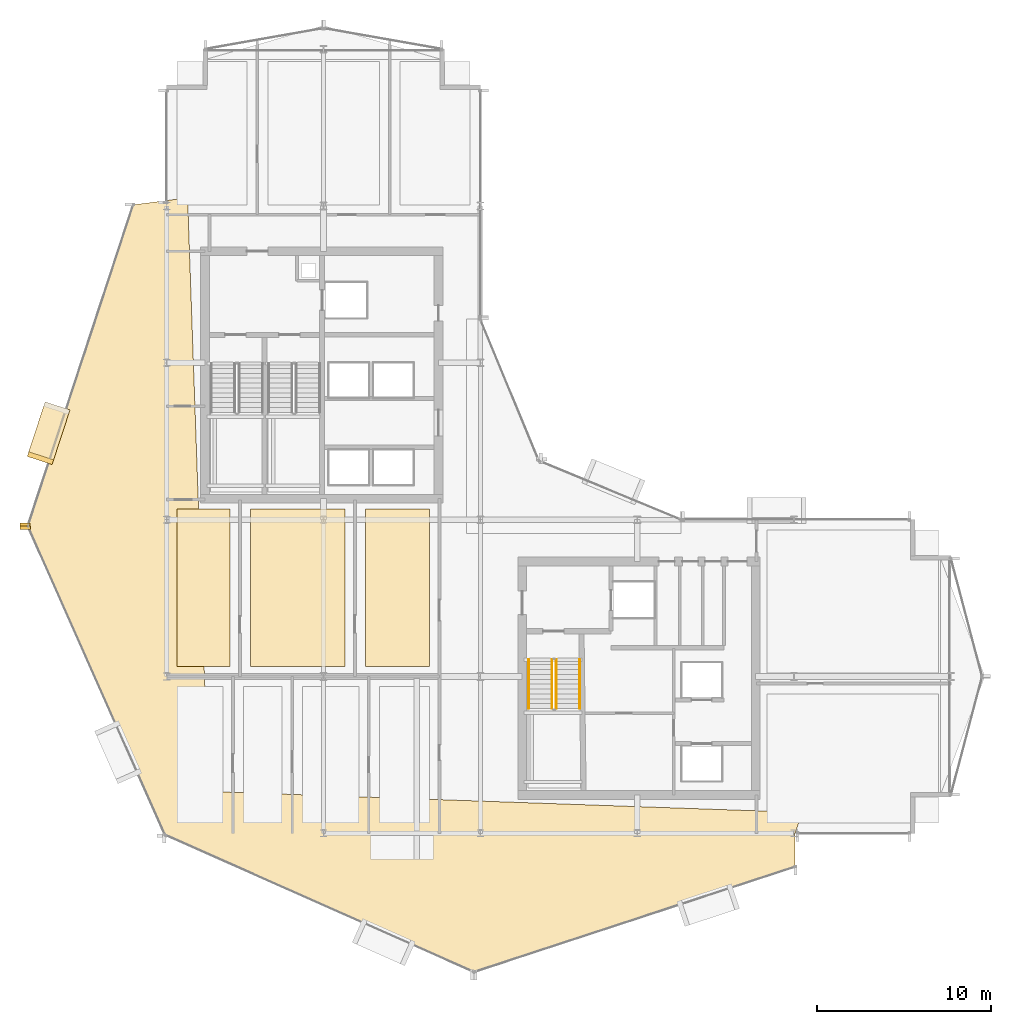
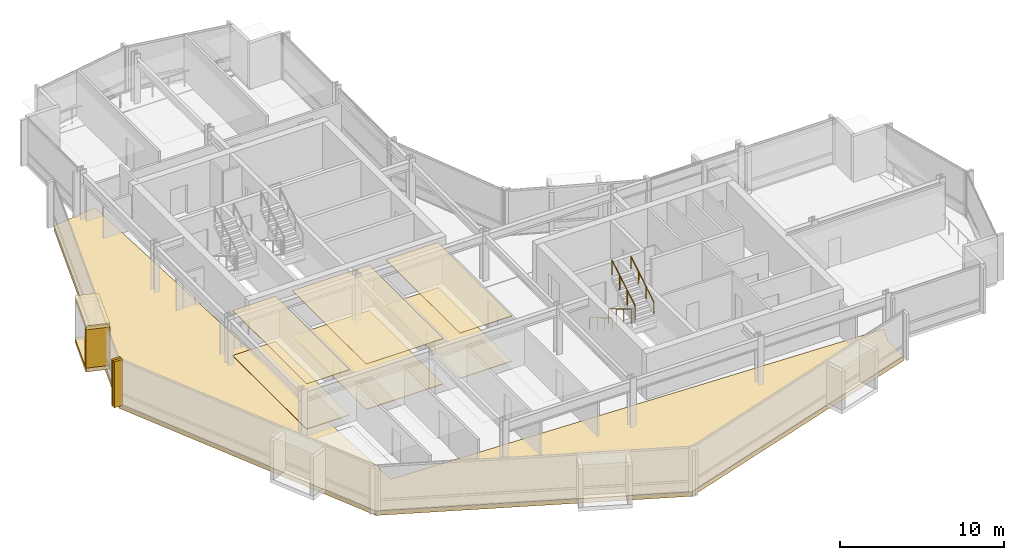
# One storey, part 25 of 28: 12 coverings, 4 railings.
"""IFC4 building model written with IfcOpenShell, lengths in metres."""

from ifc_helpers import new_model, si_unit, direction, frame, origin, origin_2d, place, context, subcontext, project, spatial, polyline, rectangle, circle, outline, extrude, material, layer, layer_set, type_object, element, save


model = new_model("IFC4")

# Units and contexts
model_context = context("Model", 3, precision=1e-05, world=origin(), true_north=direction((0.0, 1.0)))
body_context = subcontext(model_context, "Body", "Model", "MODEL_VIEW")
ifc_project = project(units=[si_unit("LENGTHUNIT", "METRE"), si_unit("AREAUNIT", "SQUARE_METRE"), si_unit("VOLUMEUNIT", "CUBIC_METRE"), si_unit("PLANEANGLEUNIT", "RADIAN"), si_unit("MASSUNIT", "GRAM", prefix="KILO")], contexts=[model_context])

# Site, building, storey
site_placement = place(None, origin())
site = spatial("IfcSite", under=ifc_project, at=site_placement, CompositionType="ELEMENT")
building_placement = place(site_placement, origin())
building = spatial("IfcBuilding", under=site, at=building_placement, Name="Solvaryn Broadcast Tower", CompositionType="ELEMENT")
storey_placement = place(building_placement, frame((0.0, 0.0, 150.699951171875)))
storey = spatial("IfcBuildingStorey", under=building, at=storey_placement, Name="L37", CompositionType="ELEMENT", Elevation=150.699951171875)

# Coverings
ifc_material_1 = material(Name="Micro-Perforated Acoustic Gypsum Ceiling", Category="concrete")
ifc_layer_1 = layer(ifc_material_1, 0.0400390625)
ifc_layer_set_1 = layer_set([ifc_layer_1], Name="CV-CEIL-ACOUSTIC")
covering_type_1 = type_object("IfcCoveringType", Name="CV-CEIL-ACOUSTIC", PredefinedType="CEILING", material=ifc_layer_set_1)
covering_1_placement = place(storey_placement, frame((0.0, 0.0, 3.380126953125)))
element("IfcCovering", 1, at=covering_1_placement, inside=storey, type_object=covering_type_1, Name="L37 Room Acoustic Ceiling 1", PredefinedType="CEILING", context=body_context, shape_type="SweptSolid", body=[
    extrude(outline(polyline([(9.60009765625, 18.570068359375), (12.6298828125, 18.570068359375), (12.6298828125, 27.60009765625), (9.60009765625, 27.60009765625), (9.60009765625, 18.570068359375)])), origin(), (0.0, 0.0, 1.0), 0.0400390625),
])
covering_2_placement = place(storey_placement, frame((0.0, 0.0, 3.380126953125)))
element("IfcCovering", 2, at=covering_2_placement, inside=storey, type_object=covering_type_1, Name="L37 Room Acoustic Ceiling 2", PredefinedType="CEILING", context=body_context, shape_type="SweptSolid", body=[
    extrude(outline(polyline([(13.800048828125, 18.570068359375), (19.22998046875, 18.570068359375), (19.22998046875, 27.60009765625), (13.800048828125, 27.60009765625), (13.800048828125, 18.570068359375)])), origin(), (0.0, 0.0, 1.0), 0.0400390625),
])
covering_3_placement = place(storey_placement, frame((0.0, 0.0, 3.380126953125)))
element("IfcCovering", 3, at=covering_3_placement, inside=storey, type_object=covering_type_1, Name="L37 Room Acoustic Ceiling 3", PredefinedType="CEILING", context=body_context, shape_type="SweptSolid", body=[
    extrude(outline(polyline([(20.39990234375, 18.570068359375), (24.080078125, 18.570068359375), (24.080078125, 27.60009765625), (20.39990234375, 27.60009765625), (20.39990234375, 18.570068359375)])), origin(), (0.0, 0.0, 1.0), 0.0400390625),
])
ifc_material_2 = material(Name="Newsroom Raised Data Access Flooring", Category="steel")
ifc_layer_2 = layer(ifc_material_2, 0.050048828125)
ifc_layer_set_2 = layer_set([ifc_layer_2], Name="CV-FLOOR-RAISED")
covering_type_2 = type_object("IfcCoveringType", Name="CV-FLOOR-RAISED", PredefinedType="FLOORING", material=ifc_layer_set_2)
covering_4_placement = place(storey_placement, origin())
element("IfcCovering", 4, at=covering_4_placement, inside=storey, type_object=covering_type_2, Name="L37 Room Acoustic Floor Finish 1", PredefinedType="FLOORING", context=body_context, shape_type="SweptSolid", body=[
    extrude(outline(polyline([(9.60009765625, 18.570068359375), (12.6298828125, 18.570068359375), (12.6298828125, 27.60009765625), (9.60009765625, 27.60009765625), (9.60009765625, 18.570068359375)])), origin(), (0.0, 0.0, 1.0), 0.050048828125),
])
covering_5_placement = place(storey_placement, origin())
element("IfcCovering", 5, at=covering_5_placement, inside=storey, type_object=covering_type_2, Name="L37 Room Acoustic Floor Finish 2", PredefinedType="FLOORING", context=body_context, shape_type="SweptSolid", body=[
    extrude(outline(polyline([(13.800048828125, 18.570068359375), (19.22998046875, 18.570068359375), (19.22998046875, 27.60009765625), (13.800048828125, 27.60009765625), (13.800048828125, 18.570068359375)])), origin(), (0.0, 0.0, 1.0), 0.050048828125),
])
covering_6_placement = place(storey_placement, origin())
element("IfcCovering", 6, at=covering_6_placement, inside=storey, type_object=covering_type_2, Name="L37 Room Acoustic Floor Finish 3", PredefinedType="FLOORING", context=body_context, shape_type="SweptSolid", body=[
    extrude(outline(polyline([(20.39990234375, 18.570068359375), (24.080078125, 18.570068359375), (24.080078125, 27.60009765625), (20.39990234375, 27.60009765625), (20.39990234375, 18.570068359375)])), origin(), (0.0, 0.0, 1.0), 0.050048828125),
])
ifc_material_3 = material(Name="Glazed Architectural Terracotta Rainscreen Cladding", Category="masonry")
ifc_layer_3 = layer(ifc_material_3, 0.280029296875)
ifc_layer_set_3 = layer_set([ifc_layer_3], Name="CV-TC-CLAD")
covering_type_3 = type_object("IfcCoveringType", Name="CV-TC-CLAD", PredefinedType="CLADDING", material=ifc_layer_set_3)
for number, where, z_axis, x_axis, name in (
    (7, (2.222900390625, 31.9619140625, 3.1298828125), (0.0, 0.0, 1.0), (-0.311671636848, -0.950189870912, 0.0), "L37 Projecting Stone Window Box Hood 1"),
    (8, (2.222900390625, 31.9619140625, -0.009765625), (0.0, 0.0, 1.0), (-0.311671636848, -0.950189870912, 0.0), "L37 Projecting Stone Window Box Sill 1"),
):
    element("IfcCovering", number, at=place(storey_placement, frame(where, z_axis=z_axis, x_axis=x_axis)), inside=storey, type_object=covering_type_3, Name=name, PredefinedType="CLADDING", context=body_context, shape_type="SweptSolid", body=[
        extrude(rectangle(XDim=3.300048828125, YDim=1.5, at=origin_2d()), origin(), (0.0, 0.0, 1.0), 0.300048828125),
    ])
covering_7_placement = place(storey_placement, frame((1.75244140625, 30.527099609375, 0.27978515625), z_axis=(0.0, 0.0, 1.0), x_axis=(-0.311671636848, -0.950189870912, 0.0)))
element("IfcCovering", 9, at=covering_7_placement, inside=storey, type_object=covering_type_3, Name="L37 Projecting Stone Window Box Cheek 1-2", PredefinedType="CLADDING", context=body_context, shape_type="SweptSolid", body=[
    extrude(rectangle(XDim=0.280029296875, YDim=1.5, at=origin_2d()), origin(), (0.0, 0.0, 1.0), 2.860107421875),
])
ifc_material_4 = material(Name="Extruded Architectural Terracotta Fin", Category="masonry")
ifc_layer_4 = layer(ifc_material_4, 0.179931640625)
ifc_layer_set_4 = layer_set([ifc_layer_4], Name="CV-TC-FIN")
covering_type_4 = type_object("IfcCoveringType", Name="CV-TC-FIN", PredefinedType="USERDEFINED", material=ifc_layer_set_4)
for number, where, z_axis, x_axis, name in (
    (10, (0.872314453125, 26.720703125, 0.0), (0.0, 0.0, 1.0), (1.0, 0.0, 0.0), "L37 Terracotta Vertical Fin FIN-L37-DR1-M01"),
    (11, (0.8818359375, 26.535888671875, 0.0), (0.0, 0.0, 1.0), (1.0, 0.0, 0.0), "L37 Terracotta Vertical Fin FIN-L37-DR2-M00"),
):
    element("IfcCovering", number, at=place(storey_placement, frame(where, z_axis=z_axis, x_axis=x_axis)), inside=storey, type_object=covering_type_4, Name=name, ObjectType="FIN", PredefinedType="USERDEFINED", context=body_context, shape_type="SweptSolid", body=[
        extrude(rectangle(XDim=0.580078125, YDim=0.179931640625, at=origin_2d()), origin(), (0.0, 0.0, 1.0), 3.419921875),
    ])
ifc_material_5 = material(Name="Sculpted Architectural Terracotta Wave Fascia", Category="masonry")
ifc_layer_5 = layer(ifc_material_5, 0.340087890625)
ifc_layer_set_5 = layer_set([ifc_layer_5], Name="CV-WAVE-TRAY")
covering_type_5 = type_object("IfcCoveringType", Name="CV-WAVE-TRAY", PredefinedType="CLADDING", material=ifc_layer_set_5)
covering_8_placement = place(storey_placement, frame((0.0, 0.0, -0.300048828125)))
element("IfcCovering", 12, at=covering_8_placement, inside=storey, type_object=covering_type_5, Name="L37 Stepped Cylindrical Drum Floor Apron", PredefinedType="CLADDING", context=body_context, shape_type="SweptSolid", body=[
    extrude(outline(polyline([(10.199951171875, 45.467041015625), (7.0791015625, 45.06689453125), (1.033935546875, 26.635986328125), (8.907958984375, 8.907958984375), (26.635986328125, 1.033935546875), (45.06689453125, 7.0791015625), (45.06689453125, 9.0), (45.467041015625, 10.199951171875), (11.39990234375, 11.39990234375), (10.199951171875, 45.467041015625)])), origin(), (0.0, 0.0, 1.0), 0.330078125),
])

# Railings
ifc_material_6 = material(Name="Painted Steel Stair Well Guard", Category="steel")
railing_type_1 = type_object("IfcRailingType", Name="RL-STAIR-GUARD", PredefinedType="BALUSTRADE", material=ifc_material_6)
railing_1_placement = place(storey_placement, frame((31.110107421875, 18.9599609375, 0.168212890625)))
element("IfcRailing", 13, at=railing_1_placement, inside=storey, type_object=railing_type_1, Name="L37 ST3 stair guard 1", PredefinedType="BALUSTRADE", context=body_context, shape_type="SweptSolid", body=[
    extrude(circle(Radius=0.02392578125, at=origin_2d()), frame((0.0, 0.0, 1.076171875), z_axis=(0.0, -0.857242210791, 0.514913383045), x_axis=(1.0, 0.0, 0.0)), (0.0, 0.0, 1.0), 3.266357421875),
    extrude(circle(Radius=0.02099609375, at=origin_2d()), origin(), (0.0, 0.0, 1.0), 1.052001953125),
    extrude(circle(Radius=0.02099609375, at=origin_2d()), frame((0.0, -0.933349609375, 0.560546875)), (0.0, 0.0, 1.0), 1.052001953125),
    extrude(circle(Radius=0.02099609375, at=origin_2d()), frame((0.0, -1.86669921875, 1.121337890625)), (0.0, 0.0, 1.0), 1.052001953125),
    extrude(circle(Radius=0.02099609375, at=origin_2d()), frame((0.0, -2.800048828125, 1.681884765625)), (0.0, 0.0, 1.0), 1.052001953125),
])
railing_2_placement = place(storey_placement, frame((31.360107421875, 16.159912109375, 2.018310546875)))
element("IfcRailing", 14, at=railing_2_placement, inside=storey, type_object=railing_type_1, Name="L37 ST3 stair guard 3", PredefinedType="BALUSTRADE", context=body_context, shape_type="SweptSolid", body=[
    extrude(circle(Radius=0.02392578125, at=origin_2d()), frame((0.0, 0.0, 1.076171875), z_axis=(0.0, 0.857275202839, 0.514858452973), x_axis=(-1.0, 0.0, 0.0)), (0.0, 0.0, 1.0), 3.26611328125),
    extrude(circle(Radius=0.02099609375, at=origin_2d()), origin(), (0.0, 0.0, 1.0), 1.052001953125),
    extrude(circle(Radius=0.02099609375, at=origin_2d()), frame((0.0, 0.933349609375, 0.560546875)), (0.0, 0.0, 1.0), 1.052001953125),
    extrude(circle(Radius=0.02099609375, at=origin_2d()), frame((0.0, 1.86669921875, 1.12109375)), (0.0, 0.0, 1.0), 1.052001953125),
    extrude(circle(Radius=0.02099609375, at=origin_2d()), frame((0.0, 2.800048828125, 1.681640625)), (0.0, 0.0, 1.0), 1.052001953125),
])
ifc_material_7 = material(Name="Brushed Stainless Steel Tubular Handrail", Category="steel")
railing_type_2 = type_object("IfcRailingType", Name="RL-STAIR-HANDRAIL", PredefinedType="HANDRAIL", material=ifc_material_7)
railing_3_placement = place(storey_placement, frame((29.77001953125, 18.9599609375, 0.168212890625)))
element("IfcRailing", 15, at=railing_3_placement, inside=storey, type_object=railing_type_2, Name="L37 ST3 stair handrail 1", PredefinedType="HANDRAIL", context=body_context, shape_type="SweptSolid", body=[
    extrude(circle(Radius=0.02392578125, at=origin_2d()), frame((0.0, 0.0, 0.8759765625), z_axis=(0.0, -0.857242210791, 0.514913383045), x_axis=(1.0, 0.0, 0.0)), (0.0, 0.0, 1.0), 3.266357421875),
    extrude(circle(Radius=0.02099609375, at=origin_2d()), origin(), (0.0, 0.0, 1.0), 0.851806640625),
    extrude(circle(Radius=0.02099609375, at=origin_2d()), frame((0.0, -0.933349609375, 0.560546875)), (0.0, 0.0, 1.0), 0.851806640625),
    extrude(circle(Radius=0.02099609375, at=origin_2d()), frame((0.0, -1.86669921875, 1.121337890625)), (0.0, 0.0, 1.0), 0.851806640625),
    extrude(circle(Radius=0.02099609375, at=origin_2d()), frame((0.0, -2.800048828125, 1.681884765625)), (0.0, 0.0, 1.0), 0.851806640625),
])
railing_4_placement = place(storey_placement, frame((32.699951171875, 16.159912109375, 2.018310546875)))
element("IfcRailing", 16, at=railing_4_placement, inside=storey, type_object=railing_type_2, Name="L37 ST3 stair handrail 2", PredefinedType="HANDRAIL", context=body_context, shape_type="SweptSolid", body=[
    extrude(circle(Radius=0.02392578125, at=origin_2d()), frame((0.0, 0.0, 0.8759765625), z_axis=(0.0, 0.857275202839, 0.514858452973), x_axis=(-1.0, 0.0, 0.0)), (0.0, 0.0, 1.0), 3.26611328125),
    extrude(circle(Radius=0.02099609375, at=origin_2d()), origin(), (0.0, 0.0, 1.0), 0.851806640625),
    extrude(circle(Radius=0.02099609375, at=origin_2d()), frame((0.0, 0.933349609375, 0.560546875)), (0.0, 0.0, 1.0), 0.851806640625),
    extrude(circle(Radius=0.02099609375, at=origin_2d()), frame((0.0, 1.86669921875, 1.12109375)), (0.0, 0.0, 1.0), 0.851806640625),
    extrude(circle(Radius=0.02099609375, at=origin_2d()), frame((0.0, 2.800048828125, 1.681640625)), (0.0, 0.0, 1.0), 0.851806640625),
])

save(model, "model.ifc")
